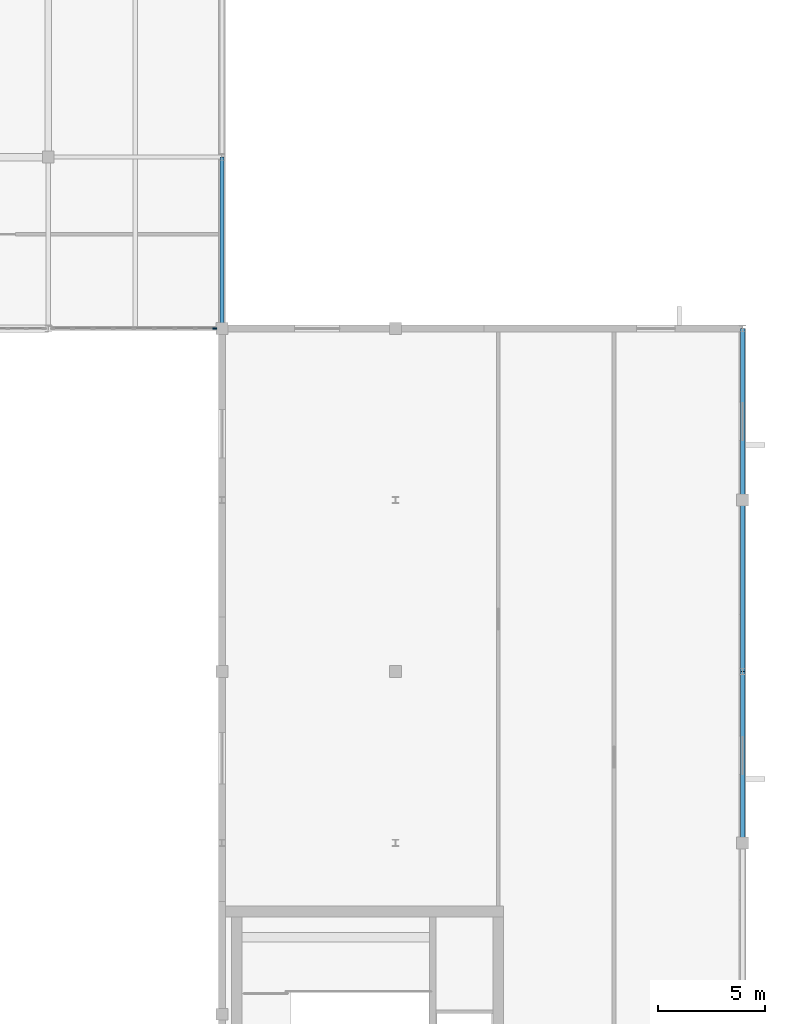
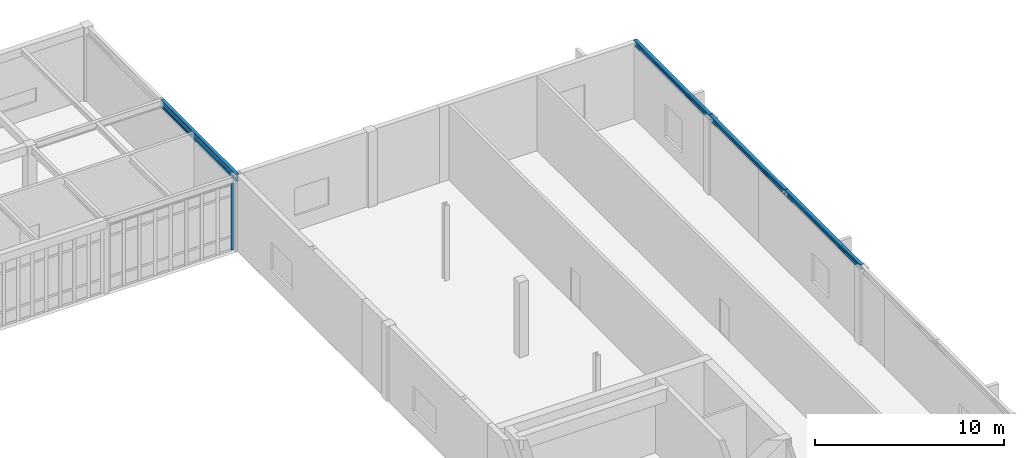
# One storey, part 25 of 70: 4 beams, 1 member, 1 element without a shape of its own.
"""IFC4 building model written with IfcOpenShell, lengths in metres."""

from ifc_helpers import new_model, si_unit, direction, frame, origin, origin_2d, place, context, subcontext, project, spatial, rectangle, i_section, extrude, material, material_profile, profile_set, type_object, element, aggregate, save


model = new_model("IFC4")

# Units and contexts
model_context = context("Model", 3, precision=1e-05, world=origin(), true_north=direction((0.0, 1.0)))
body_context = subcontext(model_context, "Body", "Model", "MODEL_VIEW")
ifc_project = project(units=[si_unit("LENGTHUNIT", "METRE"), si_unit("AREAUNIT", "SQUARE_METRE"), si_unit("VOLUMEUNIT", "CUBIC_METRE"), si_unit("PLANEANGLEUNIT", "RADIAN"), si_unit("MASSUNIT", "GRAM", prefix="KILO")], contexts=[model_context])

# Site, building, storey
site_placement = place(None, origin())
site = spatial("IfcSite", under=ifc_project, at=site_placement, CompositionType="ELEMENT")
building_placement = place(site_placement, origin())
building = spatial("IfcBuilding", under=site, at=building_placement, Name="Tarnveldt Square Police Headquarters", CompositionType="ELEMENT")
storey_placement = place(building_placement, frame((0.0, 0.0, 19.800048828125)))
storey = spatial("IfcBuildingStorey", under=building, at=storey_placement, Name="L04", CompositionType="ELEMENT", Elevation=19.800048828125)

# Beams
ifc_material_1 = material(Name="Steel 350W", Category="steel")
ifc_material_profile_1 = material_profile(ifc_material_1, i_section(OverallWidth=0.202880859375, OverallDepth=0.302978515625, WebThickness=0.007568359375, FlangeThickness=0.01318359375, FilletRadius=0.014892578125, at=origin_2d()), Name="W310x60")
ifc_profile_set_1 = profile_set([ifc_material_profile_1], Name="Steel 350W")
beam_type_1 = type_object("IfcBeamType", Name="BM-W310x60", PredefinedType="JOIST", material=ifc_profile_set_1)
for number, where, z_axis, x_axis, name in (
    (1, (129.60009765625, 72.0, 4.820068359375), (0.0, 1.0, 0.0), (-1.0, 0.0, 0.0), "Tactical Wing Eave Beam 3"),
    (2, (129.60009765625, 80.0, 4.820068359375), (0.0, 1.0, 0.0), (-1.0, 0.0, 0.0), "Tactical Wing Eave Beam 4"),
    (3, (129.60009765625, 88.0, 4.820068359375), (0.0, 1.0, 0.0), (-1.0, 0.0, 0.0), "Tactical Wing Eave Beam 5"),
):
    element("IfcBeam", number, at=place(storey_placement, frame(where, z_axis=z_axis, x_axis=x_axis)), inside=storey, type_object=beam_type_1, Name=name, PredefinedType="JOIST", context=body_context, shape_type="SweptSolid", body=[
        extrude(i_section(OverallWidth=0.202880859375, OverallDepth=0.302978515625, WebThickness=0.007568359375, FlangeThickness=0.01318359375, FilletRadius=0.014892578125, at=origin_2d()), origin(), (0.0, 0.0, 1.0), 8.0),
    ])
ifc_material_profile_2 = material_profile(ifc_material_1, i_section(OverallWidth=0.19189453125, OverallDepth=0.462890625, WebThickness=0.010498046875, FlangeThickness=0.017578125, FilletRadius=0.01806640625, at=origin_2d()), Name="W460x89")
ifc_profile_set_2 = profile_set([ifc_material_profile_2], Name="Steel 350W")
beam_type_2 = type_object("IfcBeamType", Name="BM-W460x89", PredefinedType="BEAM", material=ifc_profile_set_2)
beam_placement = place(storey_placement, frame((105.300048828125, 96.0, 4.528564453125), z_axis=(0.0, 1.0, 0.0), x_axis=(-1.0, 0.0, 0.0)))
element("IfcBeam", 4, at=beam_placement, inside=storey, type_object=beam_type_2, Name="L05 Grid Girder Y-1007", PredefinedType="BEAM", context=body_context, shape_type="SweptSolid", body=[
    extrude(i_section(OverallWidth=0.19189453125, OverallDepth=0.462890625, WebThickness=0.010498046875, FlangeThickness=0.017578125, FilletRadius=0.01806640625, at=origin_2d()), origin(), (0.0, 0.0, 1.0), 8.0),
])

# Curtain wall, member
ifc_material_2 = material(Name="Triple-glazed low-e laminated vision glass", Category="glass")
curtain_wall_type = type_object("IfcCurtainWallType", Name="CW-LB-764x429", PredefinedType="USERDEFINED", material=ifc_material_2)
curtain_wall_placement = place(storey_placement, origin())
curtain_wall = element("IfcCurtainWall", 5, at=curtain_wall_placement, inside=storey, type_object=curtain_wall_type, Name="L04 Curtain Wall CW-L04-132", ObjectType="GLAZED CURTAIN WALL", PredefinedType="USERDEFINED")
ifc_material_3 = material(Name="Thermally broken anodised aluminium 6063-T6", Category="aluminium")
ifc_material_profile_3 = material_profile(ifc_material_3, rectangle(XDim=0.074951171875, YDim=0.199951171875, at=origin_2d()), Name="CW-M75x200")
ifc_profile_set_3 = profile_set([ifc_material_profile_3], Name="Thermally broken anodised aluminium 6063-T6")
member_type = type_object("IfcMemberType", Name="CWM-75x200", PredefinedType="MULLION", material=ifc_profile_set_3)
member_placement = place(storey_placement, frame((104.972412109375, 96.0, 0.0), z_axis=(0.0, 0.0, 1.0), x_axis=(0.0, 1.0, 0.0)))
member = element("IfcMember", 6, at=member_placement, type_object=member_type, Name="CW-LB78 mullion 9", PredefinedType="MULLION", context=body_context, shape_type="SweptSolid", body=[
    extrude(rectangle(XDim=0.074951171875, YDim=0.199951171875, at=origin_2d()), origin(), (0.0, 0.0, 1.0), 4.2890625),
])
aggregate(curtain_wall, [member])

save(model, "model.ifc")
